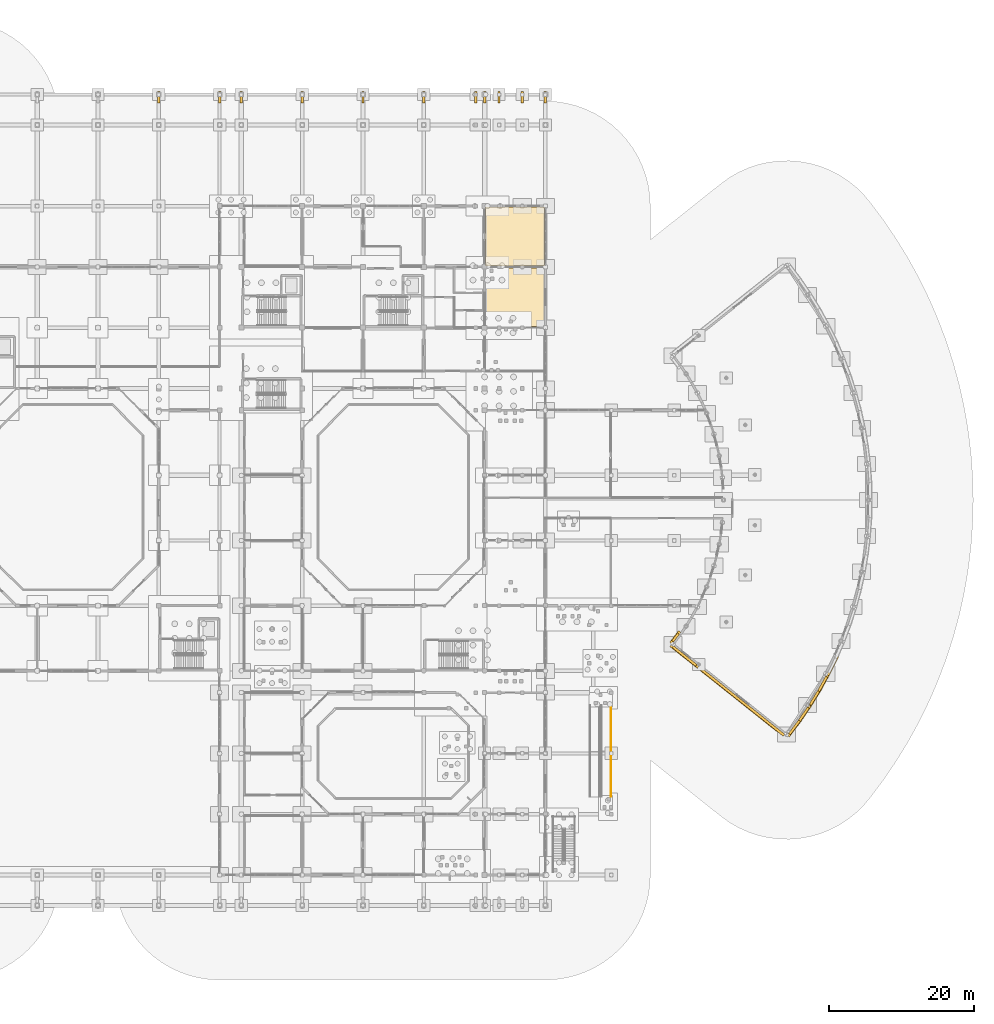
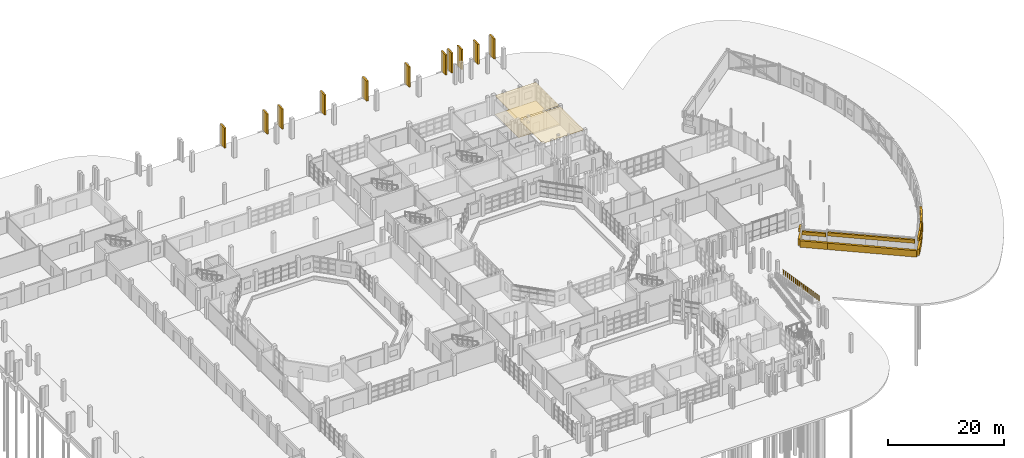
# One storey, part 85 of 88: 22 coverings, 7 shading devices, 1 railing.
"""IFC4 building model written with IfcOpenShell, lengths in metres."""

import ifcopenshell
import ifcopenshell.guid

model = None  # the IFC model being written
_history = None  # IfcOwnerHistory: only IFC2X3 demands one
_inside = {}  # id of a spatial element -> (the spatial element, [elements in it])
_under = {}  # id of a project, library or spatial element -> (it, [spatial elements below it])
_declared = {}  # id of a project -> (the project, [libraries it declares])
_typed = {}  # id of a type object -> (the type object, [elements of that type])
_made_of = {}  # id of a material, layer set ... -> (it, [elements and type objects made of it])


def new_model(schema):
    """Start an empty IFC model of exactly this schema.

    Asked for "IFC4X3", IfcOpenShell would pick the latest addendum, in which some entities
    have other attributes; the version numbers below select the first issue.
    IFC2X3 requires an IfcOwnerHistory on every rooted entity: one is made here for all.
    """
    global model, _history
    if schema == "IFC4X3":
        model = ifcopenshell.file(schema_version=(4, 3, 0, 0))
    else:
        model = ifcopenshell.file(schema=schema)
    _inside.clear()
    _under.clear()
    _declared.clear()
    _typed.clear()
    _made_of.clear()
    _history = None
    if model.schema == "IFC2X3":
        org = make("IfcOrganization", Name="unknown")
        user = make(
            "IfcPersonAndOrganization",
            ThePerson=make("IfcPerson", FamilyName="unknown"),
            TheOrganization=org,
        )
        app = make(
            "IfcApplication",
            ApplicationDeveloper=org,
            Version="unknown",
            ApplicationFullName="unknown",
            ApplicationIdentifier="unknown",
        )
        _history = make(
            "IfcOwnerHistory",
            OwningUser=user,
            OwningApplication=app,
            ChangeAction="ADDED",
            CreationDate=0,
        )
    return model


def make(cls, **values):
    """One entity of the class cls with the attributes given. An attribute that is None is left unset."""
    return model.create_entity(
        cls, **{name: value for name, value in values.items() if value is not None}
    )


def rooted(cls, **values):
    """An entity with a GlobalId (a new one), such as an element, a storey or a relation."""
    return make(cls, GlobalId=ifcopenshell.guid.new(), OwnerHistory=_history, **values)


def si_unit(unit_type, name, prefix=None):
    """IfcSIUnit, for example si_unit("LENGTHUNIT", "METRE", prefix="MILLI")."""
    return make("IfcSIUnit", UnitType=unit_type, Prefix=prefix, Name=name)


def assignment(units):
    """IfcUnitAssignment: the units of a project."""
    return None if units is None else make("IfcUnitAssignment", Units=units)


def point(xyz):
    """IfcCartesianPoint."""
    return None if xyz is None else make("IfcCartesianPoint", Coordinates=xyz)


def direction(xyz):
    """IfcDirection."""
    return None if xyz is None else make("IfcDirection", DirectionRatios=xyz)


def frame(location, z_axis=None, x_axis=None):
    """IfcAxis2Placement3D, a coordinate frame: its origin and axes. An axis left out is left unset."""
    return make(
        "IfcAxis2Placement3D",
        Location=point(location),
        Axis=direction(z_axis),
        RefDirection=direction(x_axis),
    )


def frame_2d(location, x_axis=None):
    """IfcAxis2Placement2D, a coordinate frame in the plane: its origin and x axis."""
    return make(
        "IfcAxis2Placement2D", Location=point(location), RefDirection=direction(x_axis)
    )


def origin():
    """The frame at (0, 0, 0) with its axes left unset."""
    return frame((0.0, 0.0, 0.0))


def origin_2d():
    """The frame at (0, 0) in the plane with its x axis left unset."""
    return frame_2d((0.0, 0.0))


def place(relative_to, where):
    """IfcLocalPlacement: puts the frame where relative to a parent placement (None: the world)."""
    return make(
        "IfcLocalPlacement", PlacementRelTo=relative_to, RelativePlacement=where
    )


def context(
    kind, dimensions, precision=None, world=None, true_north=None, identifier=None
):
    """IfcGeometricRepresentationContext, for example the 3D "Model" context."""
    return make(
        "IfcGeometricRepresentationContext",
        ContextIdentifier=identifier,
        ContextType=kind,
        CoordinateSpaceDimension=dimensions,
        Precision=precision,
        WorldCoordinateSystem=world,
        TrueNorth=true_north,
    )


def subcontext(parent, identifier, kind, view, scale=None):
    """IfcGeometricRepresentationSubContext, for example "Body" below "Model"."""
    return make(
        "IfcGeometricRepresentationSubContext",
        ContextIdentifier=identifier,
        ContextType=kind,
        ParentContext=parent,
        TargetScale=scale,
        TargetView=view,
    )


def project(units=None, contexts=None):
    """IfcProject with its units and contexts."""
    return rooted(
        "IfcProject",
        Name="project",
        RepresentationContexts=contexts,
        UnitsInContext=assignment(units),
    )


def spatial(cls, under=None, at=None, **own):
    """A site, building, storey or space (cls), placed at a placement, below another one or the project."""
    s = rooted(cls, ObjectPlacement=at, **own)
    if under is not None:
        _under.setdefault(under.id(), (under, []))[1].append(s)
    return s


def polyline(points):
    """IfcPolyline through the points."""
    return make("IfcPolyline", Points=[point(p) for p in points])


def profile(cls, at=None, kind="AREA", **sizes):
    """A parametric profile (cls). Its sizes go by their IFC names, for example OverallWidth=200.0."""
    return make(cls, ProfileType=kind, Position=at, **sizes)


def rectangle(**sizes):
    """IfcRectangleProfileDef."""
    return profile("IfcRectangleProfileDef", **sizes)


def circle(**sizes):
    """IfcCircleProfileDef."""
    return profile("IfcCircleProfileDef", **sizes)


def outline(outer, holes=None, kind="AREA"):
    """IfcArbitraryClosedProfileDef: a profile drawn as a closed curve; with holes, ...WithVoids."""
    if holes is None:
        return make("IfcArbitraryClosedProfileDef", ProfileType=kind, OuterCurve=outer)
    return make(
        "IfcArbitraryProfileDefWithVoids",
        ProfileType=kind,
        OuterCurve=outer,
        InnerCurves=holes,
    )


def extrude(swept, where, along, depth):
    """IfcExtrudedAreaSolid: the profile swept, set in the frame where, extruded along a direction by depth."""
    return make(
        "IfcExtrudedAreaSolid",
        SweptArea=swept,
        Position=where,
        ExtrudedDirection=direction(along),
        Depth=depth,
    )


def shape(context_of_items, identifier, shape_type, items):
    """IfcShapeRepresentation: the items that make up one representation, for example the "Body"."""
    return make(
        "IfcShapeRepresentation",
        ContextOfItems=context_of_items,
        RepresentationIdentifier=identifier,
        RepresentationType=shape_type,
        Items=items,
    )


def material(Name=None, Category=None):
    """IfcMaterial."""
    return make("IfcMaterial", Name=Name, Category=Category)


def layer(
    of_material, thickness, ventilated=None, Name=None, Category=None, Priority=None
):
    """IfcMaterialLayer: one layer of a wall or slab, of a material (None: an air gap)."""
    return make(
        "IfcMaterialLayer",
        Material=of_material,
        LayerThickness=thickness,
        IsVentilated=ventilated,
        Name=Name,
        Category=Category,
        Priority=Priority,
    )


def layer_set(layers, Name=None):
    """IfcMaterialLayerSet."""
    return make("IfcMaterialLayerSet", MaterialLayers=layers, LayerSetName=Name)


def made_of(thing, what):
    """Note that an element or type object is made of a material, layer set ...; save() writes the relation."""
    if what is not None:
        _made_of.setdefault(what.id(), (what, []))[1].append(thing)
    return thing


def type_object(cls, material=None, **own):
    """A type object (cls), such as IfcWallType, which elements share."""
    return made_of(rooted(cls, **own), material)


def element(
    cls,
    number,
    at=None,
    inside=None,
    cuts=None,
    type_object=None,
    material=None,
    context=None,
    identifier="Body",
    shape_type=None,
    held_by="IfcProductDefinitionShape",
    body=None,
    shapes=None,
    **own,
):
    """One element of the class cls, such as IfcWall. Its Tag is "e" and its number.

    at: its placement. inside: the storey or other place that contains it. cuts: it is an
    opening in that element (IfcRelVoidsElement). A single representation is given by context,
    identifier, shape_type and body (its items); several are given by shapes. held_by: the class
    of the entity that holds the representations. save() writes the other relations.
    """
    e = rooted(cls, Tag="e%d" % number, ObjectPlacement=at, **own)
    if body is not None:
        shapes = [shape(context, identifier, shape_type, body)]
    if shapes is not None:
        e.Representation = make(held_by, Representations=shapes)
    if inside is not None:
        _inside.setdefault(inside.id(), (inside, []))[1].append(e)
    if cuts is not None:
        rooted(
            "IfcRelVoidsElement", RelatingBuildingElement=cuts, RelatedOpeningElement=e
        )
    if type_object is not None:
        _typed.setdefault(type_object.id(), (type_object, []))[1].append(e)
    return made_of(e, material)


def aggregate(whole, parts):
    """IfcRelAggregates: a whole, such as a stair, and the parts it consists of."""
    return rooted("IfcRelAggregates", RelatingObject=whole, RelatedObjects=parts)


def save(model, path):
    """Write the relations noted so far, then the file.

    IfcRelAggregates (storeys below a building ...), IfcRelContainedInSpatialStructure (elements
    in a storey), IfcRelDefinesByType, IfcRelAssociatesMaterial and IfcRelDeclares: one each for
    every whole, place, type object, material and project.
    """
    for whole, parts in _under.values():
        aggregate(whole, parts)
    for where, things in _inside.values():
        rooted(
            "IfcRelContainedInSpatialStructure",
            RelatedElements=things,
            RelatingStructure=where,
        )
    for kind, things in _typed.values():
        rooted("IfcRelDefinesByType", RelatedObjects=things, RelatingType=kind)
    for what, things in _made_of.values():
        rooted("IfcRelAssociatesMaterial", RelatedObjects=things, RelatingMaterial=what)
    for by, libraries in _declared.values():
        rooted("IfcRelDeclares", RelatingContext=by, RelatedDefinitions=libraries)
    model.write(path)


model = new_model("IFC4")

# Units and contexts
model_context = context("Model", 3, precision=1e-05, world=origin(), true_north=direction((0.0, 1.0)))
body_context = subcontext(model_context, "Body", "Model", "MODEL_VIEW")
ifc_project = project(units=[si_unit("LENGTHUNIT", "METRE"), si_unit("AREAUNIT", "SQUARE_METRE"), si_unit("VOLUMEUNIT", "CUBIC_METRE"), si_unit("PLANEANGLEUNIT", "RADIAN"), si_unit("MASSUNIT", "GRAM", prefix="KILO")], contexts=[model_context])

# Site, building, storey
site_placement = place(None, origin())
site = spatial("IfcSite", under=ifc_project, at=site_placement, CompositionType="ELEMENT")
building_placement = place(site_placement, origin())
building = spatial("IfcBuilding", under=site, at=building_placement, Name="Vanh Quang Courtyard School", CompositionType="ELEMENT")
storey_placement = place(building_placement, origin())
storey = spatial("IfcBuildingStorey", under=building, at=storey_placement, Name="L00", CompositionType="ELEMENT", Elevation=0.0)

# Coverings
ifc_material_1 = material(Name="Perforated mineral-fibre acoustic ceiling board")
ifc_layer_1 = layer(ifc_material_1, 0.02490234375)
ifc_layer_set_1 = layer_set([ifc_layer_1], Name="Perforated mineral-fibre acoustic ceiling board")
covering_type_1 = type_object("IfcCoveringType", Name="COV-CEIL-ACOUSTIC", PredefinedType="CEILING", material=ifc_layer_set_1)
covering_1_placement = place(storey_placement, frame((0.0, 0.0, 3.89501953125)))
element("IfcCovering", 1, at=covering_1_placement, inside=storey, type_object=covering_type_1, Name="Covering CV-CL1 (L00)", PredefinedType="CEILING", context=body_context, shape_type="SweptSolid", body=[
    extrude(outline(polyline([(111.159912109375, 79.949951171875), (111.158935546875, 79.949951171875), (111.157958984375, 79.9501953125), (111.156982421875, 79.950439453125), (111.15625, 79.95068359375), (111.1552734375, 79.951171875), (111.154296875, 79.95166015625), (111.15380859375, 79.952392578125), (111.15283203125, 79.952880859375), (111.15234375, 79.95361328125), (111.151611328125, 79.954345703125), (111.151123046875, 79.955322265625), (111.15087890625, 79.956298828125), (111.150390625, 79.95703125), (111.150146484375, 79.9580078125), (111.14990234375, 79.958984375), (111.14990234375, 79.9599609375), (111.14990234375, 82.05908203125), (111.130126953125, 82.16552734375), (111.1298828125, 82.16650390625), (111.1298828125, 82.16748046875), (111.1298828125, 82.252685546875), (111.1298828125, 82.25341796875), (111.130126953125, 82.25439453125), (111.14990234375, 82.36083984375), (111.14990234375, 84.458984375), (111.130126953125, 84.565673828125), (111.1298828125, 84.56640625), (111.1298828125, 84.5673828125), (111.1298828125, 84.652587890625), (111.1298828125, 84.653564453125), (111.130126953125, 84.654296875), (111.14990234375, 84.760986328125), (111.14990234375, 88.06005859375), (111.14990234375, 88.06103515625), (111.150146484375, 88.06201171875), (111.150390625, 88.06298828125), (111.15087890625, 88.063720703125), (111.151123046875, 88.064697265625), (111.151611328125, 88.065673828125), (111.15234375, 88.06640625), (111.15283203125, 88.067138671875), (111.15380859375, 88.067626953125), (111.154296875, 88.068359375), (111.1552734375, 88.06884765625), (111.15625, 88.069091796875), (111.156982421875, 88.069580078125), (111.157958984375, 88.06982421875), (111.158935546875, 88.070068359375), (111.159912109375, 88.070068359375), (119.260009765625, 88.070068359375), (119.260986328125, 88.070068359375), (119.261962890625, 88.06982421875), (119.262939453125, 88.069580078125), (119.263916015625, 88.069091796875), (119.2646484375, 88.06884765625), (119.265625, 88.068359375), (119.266357421875, 88.067626953125), (119.26708984375, 88.067138671875), (119.267578125, 88.06640625), (119.268310546875, 88.065673828125), (119.268798828125, 88.064697265625), (119.269287109375, 88.063720703125), (119.26953125, 88.06298828125), (119.269775390625, 88.06201171875), (119.27001953125, 88.06103515625), (119.27001953125, 88.06005859375), (119.27001953125, 79.9599609375), (119.27001953125, 79.958984375), (119.269775390625, 79.9580078125), (119.26953125, 79.95703125), (119.269287109375, 79.956298828125), (119.268798828125, 79.955322265625), (119.268310546875, 79.954345703125), (119.267578125, 79.95361328125), (119.26708984375, 79.952880859375), (119.266357421875, 79.952392578125), (119.265625, 79.95166015625), (119.2646484375, 79.951171875), (119.263916015625, 79.95068359375), (119.262939453125, 79.950439453125), (119.261962890625, 79.9501953125), (119.260986328125, 79.949951171875), (119.260009765625, 79.949951171875), (111.159912109375, 79.949951171875)])), origin(), (0.0, 0.0, 1.0), 0.02490234375),
])
covering_2_placement = place(storey_placement, frame((0.0, 0.0, 3.89501953125)))
element("IfcCovering", 2, at=covering_2_placement, inside=storey, type_object=covering_type_1, Name="Covering CV-CL1 (L00)", PredefinedType="CEILING", context=body_context, shape_type="SweptSolid", body=[
    extrude(outline(polyline([(111.159912109375, 88.35009765625), (111.158935546875, 88.35009765625), (111.157958984375, 88.35009765625), (111.156982421875, 88.350341796875), (111.15625, 88.350830078125), (111.1552734375, 88.351318359375), (111.154296875, 88.351806640625), (111.15380859375, 88.352294921875), (111.15283203125, 88.352783203125), (111.15234375, 88.353759765625), (111.151611328125, 88.3544921875), (111.151123046875, 88.355224609375), (111.15087890625, 88.356201171875), (111.150390625, 88.357177734375), (111.150146484375, 88.35791015625), (111.14990234375, 88.35888671875), (111.14990234375, 88.360107421875), (111.14990234375, 96.4599609375), (111.14990234375, 96.4609375), (111.150146484375, 96.4619140625), (111.150390625, 96.462890625), (111.15087890625, 96.4638671875), (111.151123046875, 96.464599609375), (111.151611328125, 96.465576171875), (111.15234375, 96.46630859375), (111.15283203125, 96.467041015625), (111.15380859375, 96.4677734375), (111.154296875, 96.46826171875), (111.1552734375, 96.46875), (111.15625, 96.46923828125), (111.156982421875, 96.469482421875), (111.157958984375, 96.4697265625), (111.158935546875, 96.469970703125), (111.159912109375, 96.469970703125), (119.260009765625, 96.469970703125), (119.260986328125, 96.469970703125), (119.261962890625, 96.4697265625), (119.262939453125, 96.469482421875), (119.263916015625, 96.46923828125), (119.2646484375, 96.46875), (119.265625, 96.46826171875), (119.266357421875, 96.4677734375), (119.26708984375, 96.467041015625), (119.267578125, 96.46630859375), (119.268310546875, 96.465576171875), (119.268798828125, 96.464599609375), (119.269287109375, 96.4638671875), (119.26953125, 96.462890625), (119.269775390625, 96.4619140625), (119.27001953125, 96.4609375), (119.27001953125, 96.4599609375), (119.27001953125, 88.360107421875), (119.27001953125, 88.35888671875), (119.269775390625, 88.35791015625), (119.26953125, 88.357177734375), (119.269287109375, 88.356201171875), (119.268798828125, 88.355224609375), (119.268310546875, 88.3544921875), (119.267578125, 88.353759765625), (119.26708984375, 88.352783203125), (119.266357421875, 88.352294921875), (119.265625, 88.351806640625), (119.2646484375, 88.351318359375), (119.263916015625, 88.350830078125), (119.262939453125, 88.350341796875), (119.261962890625, 88.35009765625), (119.260986328125, 88.35009765625), (119.260009765625, 88.35009765625), (111.159912109375, 88.35009765625)])), origin(), (0.0, 0.0, 1.0), 0.02490234375),
])
ifc_material_2 = material(Name="White precast concrete C40/50", Category="concrete")
ifc_layer_2 = layer(ifc_material_2, 0.419921875)
ifc_layer_set_2 = layer_set([ifc_layer_2], Name="White precast concrete C40/50")
covering_type_2 = type_object("IfcCoveringType", Name="COV-CLAD-WHITE", PredefinedType="CLADDING", material=ifc_layer_set_2)
covering_3_placement = place(storey_placement, frame((159.05078125, 33.128662109375, 0.044921875), z_axis=(0.0, 0.0, 1.0), x_axis=(-0.440252613806, -0.897873953312, 0.0)))
element("IfcCovering", 3, at=covering_3_placement, inside=storey, type_object=covering_type_2, Name="Covering CL-01 (L00)", PredefinedType="CLADDING", context=body_context, shape_type="SweptSolid", body=[
    extrude(rectangle(XDim=2.948974609375, YDim=0.419921875, at=origin_2d()), origin(), (0.0, 0.0, 1.0), 1.35009765625),
])
covering_4_placement = place(storey_placement, frame((157.722412109375, 30.57666015625, 0.044921875), z_axis=(0.0, 0.0, 1.0), x_axis=(-0.482976759048, -0.875633171036, 0.0)))
element("IfcCovering", 4, at=covering_4_placement, inside=storey, type_object=covering_type_2, Name="Covering CL-01 (L00)", PredefinedType="CLADDING", context=body_context, shape_type="SweptSolid", body=[
    extrude(rectangle(XDim=2.94921875, YDim=0.419921875, at=origin_2d()), origin(), (0.0, 0.0, 1.0), 1.35009765625),
])
for number, where, z_axis, x_axis, name in (
    (5, (156.623779296875, 28.694091796875, 0.044921875), (0.0, 0.0, 1.0), (-0.524283182828, -0.851543976671, 0.0), "Covering CL-01 (L00)"),
    (6, (155.09521484375, 26.340576171875, 0.044921875), (0.0, 0.0, 1.0), (-0.564678950066, -0.825310658693, 0.0), "Covering CL-01 (L00)"),
):
    element("IfcCovering", number, at=place(storey_placement, frame(where, z_axis=z_axis, x_axis=x_axis)), inside=storey, type_object=covering_type_2, Name=name, PredefinedType="CLADDING", context=body_context, shape_type="SweptSolid", body=[
        extrude(rectangle(XDim=3.019775390625, YDim=0.419921875, at=origin_2d()), origin(), (0.0, 0.0, 1.0), 1.35009765625),
    ])
covering_5_placement = place(storey_placement, frame((153.822509765625, 24.571044921875, 0.044921875), z_axis=(0.0, 0.0, 1.0), x_axis=(-0.603486360302, -0.797373320929, 0.0)))
element("IfcCovering", 7, at=covering_5_placement, inside=storey, type_object=covering_type_2, Name="Covering CL-01 (L00)", PredefinedType="CLADDING", context=body_context, shape_type="SweptSolid", body=[
    extrude(rectangle(XDim=2.94921875, YDim=0.419921875, at=origin_2d()), origin(), (0.0, 0.0, 1.0), 1.35009765625),
])
covering_6_placement = place(storey_placement, frame((146.4091796875, 28.2080078125, 0.044921875), z_axis=(0.0, 0.0, 1.0), x_axis=(-0.782608156852, 0.622514636638, 0.0)))
element("IfcCovering", 8, at=covering_6_placement, inside=storey, type_object=covering_type_2, Name="Covering CL-01 (L00)", PredefinedType="CLADDING", context=body_context, shape_type="SweptSolid", body=[
    extrude(rectangle(XDim=15.82421875, YDim=0.419921875, at=origin_2d()), origin(), (0.0, 0.0, 1.0), 1.35009765625),
])
covering_7_placement = place(storey_placement, frame((138.614501953125, 34.408203125, 0.044921875), z_axis=(0.0, 0.0, 1.0), x_axis=(-0.782608156852, 0.622514636638, 0.0)))
element("IfcCovering", 9, at=covering_7_placement, inside=storey, type_object=covering_type_2, Name="Covering CL-01 (L00)", PredefinedType="CLADDING", context=body_context, shape_type="SweptSolid", body=[
    extrude(rectangle(XDim=4.823974609375, YDim=0.419921875, at=origin_2d()), origin(), (0.0, 0.0, 1.0), 1.35009765625),
])
covering_8_placement = place(storey_placement, frame((137.348388671875, 37.029052734375, 0.044921875), z_axis=(0.0, 0.0, 1.0), x_axis=(0.603486360302, 0.797373320929, 0.0)))
element("IfcCovering", 10, at=covering_8_placement, inside=storey, type_object=covering_type_2, Name="Covering CL-01 (L00)", PredefinedType="CLADDING", context=body_context, shape_type="SweptSolid", body=[
    extrude(rectangle(XDim=2.00927734375, YDim=0.419921875, at=origin_2d()), origin(), (0.0, 0.0, 1.0), 1.35009765625),
])
ifc_material_3 = material(Name="Polished cementitious terrazzo tile", Category="concrete")
ifc_layer_3 = layer(ifc_material_3, 0.02001953125)
ifc_layer_set_3 = layer_set([ifc_layer_3], Name="Polished cementitious terrazzo tile")
covering_type_3 = type_object("IfcCoveringType", Name="COV-FLR-TERRAZZO", PredefinedType="FLOORING", material=ifc_layer_set_3)
covering_9_placement = place(storey_placement, origin())
element("IfcCovering", 11, at=covering_9_placement, inside=storey, type_object=covering_type_3, Name="Covering CV-FL1 (L00)", PredefinedType="FLOORING", context=body_context, shape_type="SweptSolid", body=[
    extrude(outline(polyline([(111.159912109375, 88.35009765625), (111.158935546875, 88.35009765625), (111.157958984375, 88.35009765625), (111.156982421875, 88.350341796875), (111.15625, 88.350830078125), (111.1552734375, 88.351318359375), (111.154296875, 88.351806640625), (111.15380859375, 88.352294921875), (111.15283203125, 88.352783203125), (111.15234375, 88.353759765625), (111.151611328125, 88.3544921875), (111.151123046875, 88.355224609375), (111.15087890625, 88.356201171875), (111.150390625, 88.357177734375), (111.150146484375, 88.35791015625), (111.14990234375, 88.35888671875), (111.14990234375, 88.360107421875), (111.14990234375, 96.4599609375), (111.14990234375, 96.4609375), (111.150146484375, 96.4619140625), (111.150390625, 96.462890625), (111.15087890625, 96.4638671875), (111.151123046875, 96.464599609375), (111.151611328125, 96.465576171875), (111.15234375, 96.46630859375), (111.15283203125, 96.467041015625), (111.15380859375, 96.4677734375), (111.154296875, 96.46826171875), (111.1552734375, 96.46875), (111.15625, 96.46923828125), (111.156982421875, 96.469482421875), (111.157958984375, 96.4697265625), (111.158935546875, 96.469970703125), (111.159912109375, 96.469970703125), (119.260009765625, 96.469970703125), (119.260986328125, 96.469970703125), (119.261962890625, 96.4697265625), (119.262939453125, 96.469482421875), (119.263916015625, 96.46923828125), (119.2646484375, 96.46875), (119.265625, 96.46826171875), (119.266357421875, 96.4677734375), (119.26708984375, 96.467041015625), (119.267578125, 96.46630859375), (119.268310546875, 96.465576171875), (119.268798828125, 96.464599609375), (119.269287109375, 96.4638671875), (119.26953125, 96.462890625), (119.269775390625, 96.4619140625), (119.27001953125, 96.4609375), (119.27001953125, 96.4599609375), (119.27001953125, 88.360107421875), (119.27001953125, 88.35888671875), (119.269775390625, 88.35791015625), (119.26953125, 88.357177734375), (119.269287109375, 88.356201171875), (119.268798828125, 88.355224609375), (119.268310546875, 88.3544921875), (119.267578125, 88.353759765625), (119.26708984375, 88.352783203125), (119.266357421875, 88.352294921875), (119.265625, 88.351806640625), (119.2646484375, 88.351318359375), (119.263916015625, 88.350830078125), (119.262939453125, 88.350341796875), (119.261962890625, 88.35009765625), (119.260986328125, 88.35009765625), (119.260009765625, 88.35009765625), (111.159912109375, 88.35009765625)])), origin(), (0.0, 0.0, 1.0), 0.02001953125),
])
ifc_material_4 = material(Name="Board-marked precast concrete C40/50", Category="concrete")
ifc_layer_4 = layer(ifc_material_4, 0.239990234375)
ifc_layer_set_4 = layer_set([ifc_layer_4], Name="Board-marked precast concrete C40/50")
covering_type_4 = type_object("IfcCoveringType", Name="COV-HOOD-CONC", PredefinedType="CLADDING", material=ifc_layer_set_4)
for number, where, z_axis, x_axis, name in (
    (12, (66.0, 111.64990234375, 0.0), (0.0, 0.0, 1.0), (0.0, 1.0, 0.0), "Covering CH-01 (L00)"),
    (13, (74.39990234375, 111.64990234375, 0.0), (0.0, 0.0, 1.0), (0.0, 1.0, 0.0), "Covering CH-01 (L00)"),
    (14, (77.39990234375, 111.64990234375, 0.0), (0.0, 0.0, 1.0), (0.0, 1.0, 0.0), "Covering CH-01 (L00)"),
    (15, (85.800048828125, 111.64990234375, 0.0), (0.0, 0.0, 1.0), (0.0, 1.0, 0.0), "Covering CH-01 (L00)"),
    (16, (94.199951171875, 111.64990234375, 0.0), (0.0, 0.0, 1.0), (0.0, 1.0, 0.0), "Covering CH-01 (L00)"),
    (17, (102.60009765625, 111.64990234375, 0.0), (0.0, 0.0, 1.0), (0.0, 1.0, 0.0), "Covering CH-01 (L00)"),
    (18, (111.0, 111.64990234375, 0.0), (0.0, 0.0, 1.0), (0.0, 1.0, 0.0), "Covering CH-01 (L00)"),
    (19, (119.39990234375, 111.64990234375, 0.0), (0.0, 0.0, 1.0), (0.0, 1.0, 0.0), "Covering CH-01 (L00)"),
    (20, (116.199951171875, 111.64990234375, 0.0), (0.0, 0.0, 1.0), (0.0, 1.0, 0.0), "Covering CH-01 (L00)"),
    (21, (113.0, 111.64990234375, 0.0), (0.0, 0.0, 1.0), (0.0, 1.0, 0.0), "Covering CH-01 (L00)"),
    (22, (109.800048828125, 111.64990234375, 0.0), (0.0, 0.0, 1.0), (0.0, 1.0, 0.0), "Covering CH-01 (L00)"),
):
    element("IfcCovering", number, at=place(storey_placement, frame(where, z_axis=z_axis, x_axis=x_axis)), inside=storey, type_object=covering_type_4, Name=name, PredefinedType="CLADDING", context=body_context, shape_type="SweptSolid", body=[
        extrude(rectangle(XDim=1.60009765625, YDim=0.320068359375, at=origin_2d()), origin(), (0.0, 0.0, 1.0), 4.199951171875),
    ])

# Railing
ifc_material_5 = material(Name="Galvanised painted steel EN 10025-2 S355J2", Category="steel")
railing_type = type_object("IfcRailingType", Name="RAIL-GUARD-1150", PredefinedType="BALUSTRADE", material=ifc_material_5)
railing_placement = place(storey_placement, frame((128.449951171875, 27.60009765625, 2.10009765625)))
element("IfcRailing", 23, at=railing_placement, inside=storey, type_object=railing_type, Name="Railing GR-01 (L00)", PredefinedType="BALUSTRADE", context=body_context, shape_type="SweptSolid", body=[
    extrude(circle(Radius=0.02392578125, at=origin_2d()), frame((0.0, 0.0, 1.1259765625), z_axis=(0.0, -0.98639598997, 0.164386589997), x_axis=(1.0, 0.0, 0.0)), (0.0, 0.0, 1.0), 12.77392578125),
    extrude(circle(Radius=0.02099609375, at=origin_2d()), origin(), (0.0, 0.0, 1.0), 1.101806640625),
    extrude(circle(Radius=0.02099609375, at=origin_2d()), frame((0.0, -0.136962890625, 0.022705078125)), (0.0, 0.0, 1.0), 1.101806640625),
    extrude(circle(Radius=0.02099609375, at=origin_2d()), frame((0.0, -0.27392578125, 0.045654296875)), (0.0, 0.0, 1.0), 1.101806640625),
    extrude(circle(Radius=0.02099609375, at=origin_2d()), frame((0.0, -0.410888671875, 0.068359375)), (0.0, 0.0, 1.0), 1.101806640625),
    extrude(circle(Radius=0.02099609375, at=origin_2d()), frame((0.0, -0.5478515625, 0.09130859375)), (0.0, 0.0, 1.0), 1.101806640625),
    extrude(circle(Radius=0.02099609375, at=origin_2d()), frame((0.0, -0.684814453125, 0.114013671875)), (0.0, 0.0, 1.0), 1.101806640625),
    extrude(circle(Radius=0.02099609375, at=origin_2d()), frame((0.0, -0.82177734375, 0.136962890625)), (0.0, 0.0, 1.0), 1.101806640625),
    extrude(circle(Radius=0.02099609375, at=origin_2d()), frame((0.0, -0.958740234375, 0.15966796875)), (0.0, 0.0, 1.0), 1.101806640625),
    extrude(circle(Radius=0.02099609375, at=origin_2d()), frame((0.0, -1.095703125, 0.1826171875)), (0.0, 0.0, 1.0), 1.101806640625),
    extrude(circle(Radius=0.02099609375, at=origin_2d()), frame((0.0, -1.232666015625, 0.205322265625)), (0.0, 0.0, 1.0), 1.101806640625),
    extrude(circle(Radius=0.02099609375, at=origin_2d()), frame((0.0, -1.36962890625, 0.228271484375)), (0.0, 0.0, 1.0), 1.101806640625),
    extrude(circle(Radius=0.02099609375, at=origin_2d()), frame((0.0, -1.506591796875, 0.2509765625)), (0.0, 0.0, 1.0), 1.101806640625),
    extrude(circle(Radius=0.02099609375, at=origin_2d()), frame((0.0, -1.6435546875, 0.27392578125)), (0.0, 0.0, 1.0), 1.101806640625),
    extrude(circle(Radius=0.02099609375, at=origin_2d()), frame((0.0, -1.780517578125, 0.296630859375)), (0.0, 0.0, 1.0), 1.101806640625),
    extrude(circle(Radius=0.02099609375, at=origin_2d()), frame((0.0, -1.91748046875, 0.319580078125)), (0.0, 0.0, 1.0), 1.101806640625),
    extrude(circle(Radius=0.02099609375, at=origin_2d()), frame((0.0, -2.054443359375, 0.34228515625)), (0.0, 0.0, 1.0), 1.101806640625),
    extrude(circle(Radius=0.02099609375, at=origin_2d()), frame((0.0, -2.19140625, 0.365234375)), (0.0, 0.0, 1.0), 1.101806640625),
    extrude(circle(Radius=0.02099609375, at=origin_2d()), frame((0.0, -2.328369140625, 0.387939453125)), (0.0, 0.0, 1.0), 1.101806640625),
    extrude(circle(Radius=0.02099609375, at=origin_2d()), frame((0.0, -2.46533203125, 0.410888671875)), (0.0, 0.0, 1.0), 1.101806640625),
    extrude(circle(Radius=0.02099609375, at=origin_2d()), frame((0.0, -2.602294921875, 0.43359375)), (0.0, 0.0, 1.0), 1.101806640625),
    extrude(circle(Radius=0.02099609375, at=origin_2d()), frame((0.0, -2.7392578125, 0.45654296875)), (0.0, 0.0, 1.0), 1.101806640625),
    extrude(circle(Radius=0.02099609375, at=origin_2d()), frame((0.0, -2.876220703125, 0.479248046875)), (0.0, 0.0, 1.0), 1.101806640625),
    extrude(circle(Radius=0.02099609375, at=origin_2d()), frame((0.0, -3.01318359375, 0.502197265625)), (0.0, 0.0, 1.0), 1.101806640625),
    extrude(circle(Radius=0.02099609375, at=origin_2d()), frame((0.0, -3.14990234375, 0.52490234375)), (0.0, 0.0, 1.0), 1.101806640625),
    extrude(circle(Radius=0.02099609375, at=origin_2d()), frame((0.0, -3.286865234375, 0.5478515625)), (0.0, 0.0, 1.0), 1.101806640625),
    extrude(circle(Radius=0.02099609375, at=origin_2d()), frame((0.0, -3.423828125, 0.570556640625)), (0.0, 0.0, 1.0), 1.101806640625),
    extrude(circle(Radius=0.02099609375, at=origin_2d()), frame((0.0, -3.560791015625, 0.593505859375)), (0.0, 0.0, 1.0), 1.101806640625),
    extrude(circle(Radius=0.02099609375, at=origin_2d()), frame((0.0, -3.69775390625, 0.6162109375)), (0.0, 0.0, 1.0), 1.101806640625),
    extrude(circle(Radius=0.02099609375, at=origin_2d()), frame((0.0, -3.834716796875, 0.63916015625)), (0.0, 0.0, 1.0), 1.101806640625),
    extrude(circle(Radius=0.02099609375, at=origin_2d()), frame((0.0, -3.9716796875, 0.661865234375)), (0.0, 0.0, 1.0), 1.101806640625),
    extrude(circle(Radius=0.02099609375, at=origin_2d()), frame((0.0, -4.108642578125, 0.684814453125)), (0.0, 0.0, 1.0), 1.101806640625),
    extrude(circle(Radius=0.02099609375, at=origin_2d()), frame((0.0, -4.24560546875, 0.70751953125)), (0.0, 0.0, 1.0), 1.101806640625),
    extrude(circle(Radius=0.02099609375, at=origin_2d()), frame((0.0, -4.382568359375, 0.73046875)), (0.0, 0.0, 1.0), 1.101806640625),
    extrude(circle(Radius=0.02099609375, at=origin_2d()), frame((0.0, -4.51953125, 0.753173828125)), (0.0, 0.0, 1.0), 1.101806640625),
    extrude(circle(Radius=0.02099609375, at=origin_2d()), frame((0.0, -4.656494140625, 0.776123046875)), (0.0, 0.0, 1.0), 1.101806640625),
    extrude(circle(Radius=0.02099609375, at=origin_2d()), frame((0.0, -4.79345703125, 0.798828125)), (0.0, 0.0, 1.0), 1.101806640625),
    extrude(circle(Radius=0.02099609375, at=origin_2d()), frame((0.0, -4.930419921875, 0.82177734375)), (0.0, 0.0, 1.0), 1.101806640625),
    extrude(circle(Radius=0.02099609375, at=origin_2d()), frame((0.0, -5.0673828125, 0.844482421875)), (0.0, 0.0, 1.0), 1.101806640625),
    extrude(circle(Radius=0.02099609375, at=origin_2d()), frame((0.0, -5.204345703125, 0.867431640625)), (0.0, 0.0, 1.0), 1.101806640625),
    extrude(circle(Radius=0.02099609375, at=origin_2d()), frame((0.0, -5.34130859375, 0.89013671875)), (0.0, 0.0, 1.0), 1.101806640625),
    extrude(circle(Radius=0.02099609375, at=origin_2d()), frame((0.0, -5.478271484375, 0.9130859375)), (0.0, 0.0, 1.0), 1.101806640625),
    extrude(circle(Radius=0.02099609375, at=origin_2d()), frame((0.0, -5.615234375, 0.935791015625)), (0.0, 0.0, 1.0), 1.101806640625),
    extrude(circle(Radius=0.02099609375, at=origin_2d()), frame((0.0, -5.752197265625, 0.958740234375)), (0.0, 0.0, 1.0), 1.101806640625),
    extrude(circle(Radius=0.02099609375, at=origin_2d()), frame((0.0, -5.88916015625, 0.9814453125)), (0.0, 0.0, 1.0), 1.101806640625),
    extrude(circle(Radius=0.02099609375, at=origin_2d()), frame((0.0, -6.026123046875, 1.00439453125)), (0.0, 0.0, 1.0), 1.101806640625),
    extrude(circle(Radius=0.02099609375, at=origin_2d()), frame((0.0, -6.1630859375, 1.027099609375)), (0.0, 0.0, 1.0), 1.101806640625),
    extrude(circle(Radius=0.02099609375, at=origin_2d()), frame((0.0, -6.300048828125, 1.0498046875)), (0.0, 0.0, 1.0), 1.101806640625),
    extrude(circle(Radius=0.02099609375, at=origin_2d()), frame((0.0, -6.43701171875, 1.07275390625)), (0.0, 0.0, 1.0), 1.101806640625),
    extrude(circle(Radius=0.02099609375, at=origin_2d()), frame((0.0, -6.573974609375, 1.095458984375)), (0.0, 0.0, 1.0), 1.101806640625),
    extrude(circle(Radius=0.02099609375, at=origin_2d()), frame((0.0, -6.7109375, 1.118408203125)), (0.0, 0.0, 1.0), 1.101806640625),
    extrude(circle(Radius=0.02099609375, at=origin_2d()), frame((0.0, -6.847900390625, 1.14111328125)), (0.0, 0.0, 1.0), 1.101806640625),
    extrude(circle(Radius=0.02099609375, at=origin_2d()), frame((0.0, -6.98486328125, 1.1640625)), (0.0, 0.0, 1.0), 1.101806640625),
    extrude(circle(Radius=0.02099609375, at=origin_2d()), frame((0.0, -7.121826171875, 1.186767578125)), (0.0, 0.0, 1.0), 1.101806640625),
    extrude(circle(Radius=0.02099609375, at=origin_2d()), frame((0.0, -7.2587890625, 1.209716796875)), (0.0, 0.0, 1.0), 1.101806640625),
    extrude(circle(Radius=0.02099609375, at=origin_2d()), frame((0.0, -7.395751953125, 1.232421875)), (0.0, 0.0, 1.0), 1.101806640625),
    extrude(circle(Radius=0.02099609375, at=origin_2d()), frame((0.0, -7.53271484375, 1.25537109375)), (0.0, 0.0, 1.0), 1.101806640625),
    extrude(circle(Radius=0.02099609375, at=origin_2d()), frame((0.0, -7.669677734375, 1.278076171875)), (0.0, 0.0, 1.0), 1.101806640625),
    extrude(circle(Radius=0.02099609375, at=origin_2d()), frame((0.0, -7.806640625, 1.301025390625)), (0.0, 0.0, 1.0), 1.101806640625),
    extrude(circle(Radius=0.02099609375, at=origin_2d()), frame((0.0, -7.943603515625, 1.32373046875)), (0.0, 0.0, 1.0), 1.101806640625),
    extrude(circle(Radius=0.02099609375, at=origin_2d()), frame((0.0, -8.08056640625, 1.3466796875)), (0.0, 0.0, 1.0), 1.101806640625),
    extrude(circle(Radius=0.02099609375, at=origin_2d()), frame((0.0, -8.217529296875, 1.369384765625)), (0.0, 0.0, 1.0), 1.101806640625),
    extrude(circle(Radius=0.02099609375, at=origin_2d()), frame((0.0, -8.3544921875, 1.392333984375)), (0.0, 0.0, 1.0), 1.101806640625),
    extrude(circle(Radius=0.02099609375, at=origin_2d()), frame((0.0, -8.491455078125, 1.4150390625)), (0.0, 0.0, 1.0), 1.101806640625),
    extrude(circle(Radius=0.02099609375, at=origin_2d()), frame((0.0, -8.62841796875, 1.43798828125)), (0.0, 0.0, 1.0), 1.101806640625),
    extrude(circle(Radius=0.02099609375, at=origin_2d()), frame((0.0, -8.765380859375, 1.460693359375)), (0.0, 0.0, 1.0), 1.101806640625),
    extrude(circle(Radius=0.02099609375, at=origin_2d()), frame((0.0, -8.90234375, 1.483642578125)), (0.0, 0.0, 1.0), 1.101806640625),
    extrude(circle(Radius=0.02099609375, at=origin_2d()), frame((0.0, -9.039306640625, 1.50634765625)), (0.0, 0.0, 1.0), 1.101806640625),
    extrude(circle(Radius=0.02099609375, at=origin_2d()), frame((0.0, -9.17626953125, 1.529296875)), (0.0, 0.0, 1.0), 1.101806640625),
    extrude(circle(Radius=0.02099609375, at=origin_2d()), frame((0.0, -9.313232421875, 1.552001953125)), (0.0, 0.0, 1.0), 1.101806640625),
    extrude(circle(Radius=0.02099609375, at=origin_2d()), frame((0.0, -9.4501953125, 1.574951171875)), (0.0, 0.0, 1.0), 1.101806640625),
    extrude(circle(Radius=0.02099609375, at=origin_2d()), frame((0.0, -9.5869140625, 1.59765625)), (0.0, 0.0, 1.0), 1.101806640625),
    extrude(circle(Radius=0.02099609375, at=origin_2d()), frame((0.0, -9.723876953125, 1.62060546875)), (0.0, 0.0, 1.0), 1.101806640625),
    extrude(circle(Radius=0.02099609375, at=origin_2d()), frame((0.0, -9.86083984375, 1.643310546875)), (0.0, 0.0, 1.0), 1.101806640625),
    extrude(circle(Radius=0.02099609375, at=origin_2d()), frame((0.0, -9.997802734375, 1.666259765625)), (0.0, 0.0, 1.0), 1.101806640625),
    extrude(circle(Radius=0.02099609375, at=origin_2d()), frame((0.0, -10.134765625, 1.68896484375)), (0.0, 0.0, 1.0), 1.101806640625),
    extrude(circle(Radius=0.02099609375, at=origin_2d()), frame((0.0, -10.271728515625, 1.7119140625)), (0.0, 0.0, 1.0), 1.101806640625),
    extrude(circle(Radius=0.02099609375, at=origin_2d()), frame((0.0, -10.40869140625, 1.734619140625)), (0.0, 0.0, 1.0), 1.101806640625),
    extrude(circle(Radius=0.02099609375, at=origin_2d()), frame((0.0, -10.545654296875, 1.757568359375)), (0.0, 0.0, 1.0), 1.101806640625),
    extrude(circle(Radius=0.02099609375, at=origin_2d()), frame((0.0, -10.6826171875, 1.7802734375)), (0.0, 0.0, 1.0), 1.101806640625),
    extrude(circle(Radius=0.02099609375, at=origin_2d()), frame((0.0, -10.819580078125, 1.80322265625)), (0.0, 0.0, 1.0), 1.101806640625),
    extrude(circle(Radius=0.02099609375, at=origin_2d()), frame((0.0, -10.95654296875, 1.825927734375)), (0.0, 0.0, 1.0), 1.101806640625),
    extrude(circle(Radius=0.02099609375, at=origin_2d()), frame((0.0, -11.093505859375, 1.848876953125)), (0.0, 0.0, 1.0), 1.101806640625),
    extrude(circle(Radius=0.02099609375, at=origin_2d()), frame((0.0, -11.23046875, 1.87158203125)), (0.0, 0.0, 1.0), 1.101806640625),
    extrude(circle(Radius=0.02099609375, at=origin_2d()), frame((0.0, -11.367431640625, 1.89453125)), (0.0, 0.0, 1.0), 1.101806640625),
    extrude(circle(Radius=0.02099609375, at=origin_2d()), frame((0.0, -11.50439453125, 1.917236328125)), (0.0, 0.0, 1.0), 1.101806640625),
    extrude(circle(Radius=0.02099609375, at=origin_2d()), frame((0.0, -11.641357421875, 1.940185546875)), (0.0, 0.0, 1.0), 1.101806640625),
    extrude(circle(Radius=0.02099609375, at=origin_2d()), frame((0.0, -11.7783203125, 1.962890625)), (0.0, 0.0, 1.0), 1.101806640625),
    extrude(circle(Radius=0.02099609375, at=origin_2d()), frame((0.0, -11.915283203125, 1.98583984375)), (0.0, 0.0, 1.0), 1.101806640625),
    extrude(circle(Radius=0.02099609375, at=origin_2d()), frame((0.0, -12.05224609375, 2.008544921875)), (0.0, 0.0, 1.0), 1.101806640625),
    extrude(circle(Radius=0.02099609375, at=origin_2d()), frame((0.0, -12.189208984375, 2.031494140625)), (0.0, 0.0, 1.0), 1.101806640625),
    extrude(circle(Radius=0.02099609375, at=origin_2d()), frame((0.0, -12.326171875, 2.05419921875)), (0.0, 0.0, 1.0), 1.101806640625),
    extrude(circle(Radius=0.02099609375, at=origin_2d()), frame((0.0, -12.463134765625, 2.0771484375)), (0.0, 0.0, 1.0), 1.101806640625),
    extrude(circle(Radius=0.02099609375, at=origin_2d()), frame((0.0, -12.60009765625, 2.099853515625)), (0.0, 0.0, 1.0), 1.101806640625),
])

# Shading devices
ifc_material_6 = material(Name="Anodised aluminium storm louvre", Category="aluminium")
shading_device_type = type_object("IfcShadingDeviceType", Name="SHD-LOUVRE-STORM", PredefinedType="JALOUSIE", material=ifc_material_6)
shading_device_1_placement = place(storey_placement, frame((157.70068359375, 30.588623046875, 2.85986328125), z_axis=(0.0, 0.0, 1.0), x_axis=(-0.482976759048, -0.875633171036, 0.0)))
element("IfcShadingDevice", 24, at=shading_device_1_placement, inside=storey, type_object=shading_device_type, Name="Solar Shading SH-01 (L00)", PredefinedType="JALOUSIE", context=body_context, shape_type="SweptSolid", body=[
    extrude(rectangle(XDim=2.26904296875, YDim=0.35009765625, at=origin_2d()), origin(), (0.0, 0.0, 1.0), 0.699951171875),
])
shading_device_2_placement = place(storey_placement, frame((156.602294921875, 28.707275390625, 2.85986328125), z_axis=(0.0, 0.0, 1.0), x_axis=(-0.524283182828, -0.851543976671, 0.0)))
element("IfcShadingDevice", 25, at=shading_device_2_placement, inside=storey, type_object=shading_device_type, Name="Solar Shading SH-01 (L00)", PredefinedType="JALOUSIE", context=body_context, shape_type="SweptSolid", body=[
    extrude(rectangle(XDim=2.339599609375, YDim=0.35009765625, at=origin_2d()), origin(), (0.0, 0.0, 1.0), 0.699951171875),
])
shading_device_3_placement = place(storey_placement, frame((155.074462890625, 26.3544921875, 2.85986328125), z_axis=(0.0, 0.0, 1.0), x_axis=(-0.564678950066, -0.825310658693, 0.0)))
element("IfcShadingDevice", 26, at=shading_device_3_placement, inside=storey, type_object=shading_device_type, Name="Solar Shading SH-01 (L00)", PredefinedType="JALOUSIE", context=body_context, shape_type="SweptSolid", body=[
    extrude(rectangle(XDim=2.33984375, YDim=0.35009765625, at=origin_2d()), origin(), (0.0, 0.0, 1.0), 0.699951171875),
])
shading_device_4_placement = place(storey_placement, frame((153.802490234375, 24.586181640625, 2.85986328125), z_axis=(0.0, 0.0, 1.0), x_axis=(-0.603486360302, -0.797373320929, 0.0)))
element("IfcShadingDevice", 27, at=shading_device_4_placement, inside=storey, type_object=shading_device_type, Name="Solar Shading SH-01 (L00)", PredefinedType="JALOUSIE", context=body_context, shape_type="SweptSolid", body=[
    extrude(rectangle(XDim=2.26904296875, YDim=0.35009765625, at=origin_2d()), origin(), (0.0, 0.0, 1.0), 0.699951171875),
])
shading_device_5_placement = place(storey_placement, frame((146.4248046875, 28.2275390625, 2.85986328125), z_axis=(0.0, 0.0, 1.0), x_axis=(-0.782608156852, 0.622514636638, 0.0)))
element("IfcShadingDevice", 28, at=shading_device_5_placement, inside=storey, type_object=shading_device_type, Name="Solar Shading SH-01 (L00)", PredefinedType="JALOUSIE", context=body_context, shape_type="SweptSolid", body=[
    extrude(rectangle(XDim=15.14404296875, YDim=0.35009765625, at=origin_2d()), origin(), (0.0, 0.0, 1.0), 0.699951171875),
])
shading_device_6_placement = place(storey_placement, frame((138.630126953125, 34.427734375, 2.6201171875), z_axis=(0.0, 0.0, 1.0), x_axis=(-0.782608156852, 0.622514636638, 0.0)))
element("IfcShadingDevice", 29, at=shading_device_6_placement, inside=storey, type_object=shading_device_type, Name="Solar Shading SH-01 (L00)", PredefinedType="JALOUSIE", context=body_context, shape_type="SweptSolid", body=[
    extrude(rectangle(XDim=4.14404296875, YDim=0.35009765625, at=origin_2d()), origin(), (0.0, 0.0, 1.0), 0.699951171875),
])
shading_device_7_placement = place(storey_placement, frame((137.368408203125, 37.013916015625, 2.64013671875), z_axis=(0.0, 0.0, 1.0), x_axis=(0.603486360302, 0.797373320929, 0.0)))
element("IfcShadingDevice", 30, at=shading_device_7_placement, inside=storey, type_object=shading_device_type, Name="Solar Shading SH-01 (L00)", PredefinedType="JALOUSIE", context=body_context, shape_type="SweptSolid", body=[
    extrude(rectangle(XDim=1.329345703125, YDim=0.35009765625, at=origin_2d()), origin(), (0.0, 0.0, 1.0), 0.699951171875),
])

save(model, "model.ifc")
